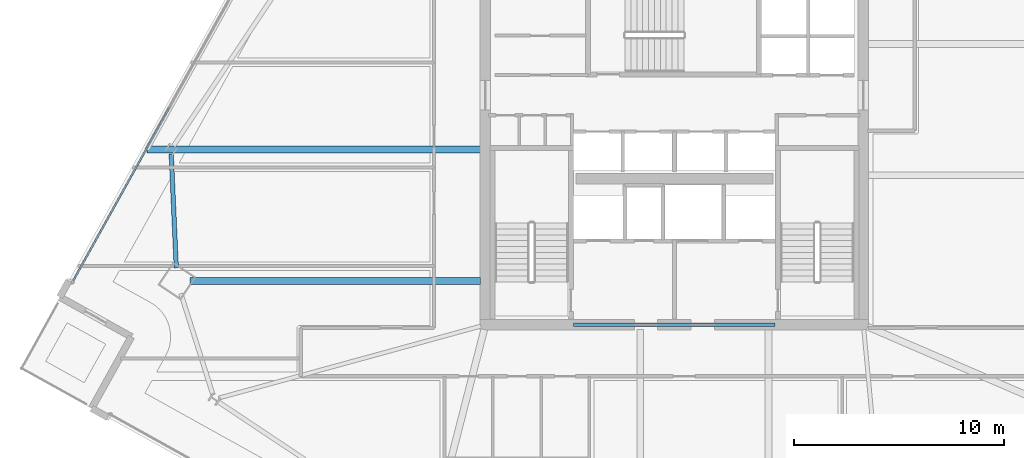
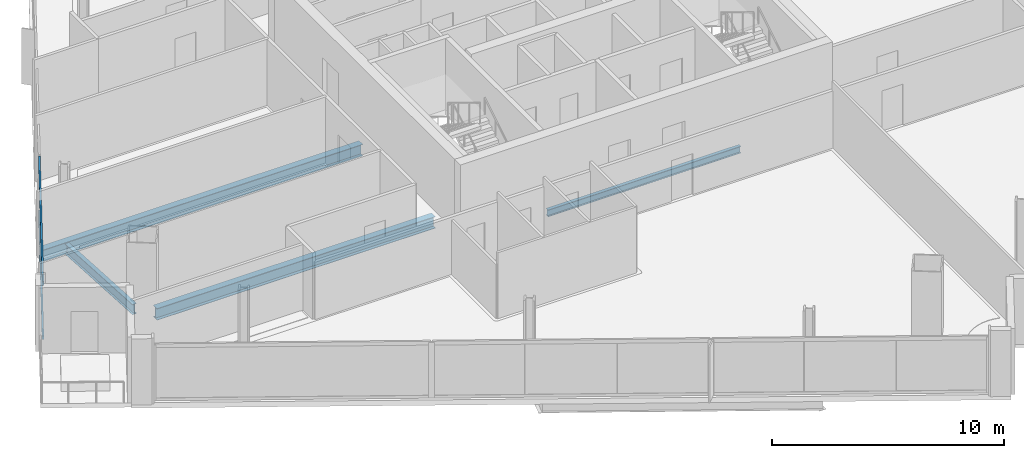
# One storey, part 6 of 28: 4 beams, 2 members, 1 element without a shape of its own.
"""IFC4 building model written with IfcOpenShell, lengths in metres."""

from ifc_helpers import new_model, si_unit, direction, frame, origin, origin_2d, place, context, subcontext, project, spatial, hollow_rectangle, i_section, extrude, material, material_profile, profile_set, type_object, element, aggregate, save


model = new_model("IFC4")

# Units and contexts
model_context = context("Model", 3, precision=1e-05, world=origin(), true_north=direction((0.0, 1.0)))
body_context = subcontext(model_context, "Body", "Model", "MODEL_VIEW")
ifc_project = project(units=[si_unit("LENGTHUNIT", "METRE"), si_unit("AREAUNIT", "SQUARE_METRE"), si_unit("VOLUMEUNIT", "CUBIC_METRE"), si_unit("PLANEANGLEUNIT", "RADIAN"), si_unit("MASSUNIT", "GRAM", prefix="KILO")], contexts=[model_context])

# Site, building, storey
site_placement = place(None, origin())
site = spatial("IfcSite", under=ifc_project, at=site_placement, CompositionType="ELEMENT")
building_placement = place(site_placement, origin())
building = spatial("IfcBuilding", under=site, at=building_placement, Name="Haldenkirk Collegiate Tower", CompositionType="ELEMENT")
storey_placement = place(building_placement, frame((0.0, 0.0, 232.199951171875)))
storey = spatial("IfcBuildingStorey", under=building, at=storey_placement, Name="L58", CompositionType="ELEMENT", Elevation=232.199951171875)

# Beams
ifc_material_1 = material(Name="Steel ASTM A992 Grade 50", Category="steel")
ifc_material_profile_1 = material_profile(ifc_material_1, i_section(OverallWidth=0.324951171875, OverallDepth=0.615966796875, WebThickness=0.013916015625, FlangeThickness=0.021484375, at=origin_2d()), Name="W24X117")
ifc_profile_set_1 = profile_set([ifc_material_profile_1], Name="Steel ASTM A992 Grade 50")
beam_type_1 = type_object("IfcBeamType", Name="BM-GIRDER-W24X117", PredefinedType="BEAM", material=ifc_profile_set_1)
beam_1_placement = place(storey_placement, frame((12.9345703125, 20.089599609375, -0.587890625), z_axis=(1.0, 0.0, 0.0), x_axis=(0.0, 1.0, 0.0)))
element("IfcBeam", 1, at=beam_1_placement, inside=storey, type_object=beam_type_1, Name="L58 primary floor girder 04", PredefinedType="BEAM", context=body_context, shape_type="SweptSolid", body=[
    extrude(i_section(OverallWidth=0.324951171875, OverallDepth=0.615966796875, WebThickness=0.013916015625, FlangeThickness=0.021484375, at=origin_2d()), origin(), (0.0, 0.0, 1.0), 13.83544921875),
])
beam_2_placement = place(storey_placement, frame((10.878173828125, 26.34716796875, -0.587890625), z_axis=(1.0, 0.0, 0.0), x_axis=(0.0, 1.0, 0.0)))
element("IfcBeam", 2, at=beam_2_placement, inside=storey, type_object=beam_type_1, Name="L58 primary floor girder 13", PredefinedType="BEAM", context=body_context, shape_type="SweptSolid", body=[
    extrude(i_section(OverallWidth=0.324951171875, OverallDepth=0.615966796875, WebThickness=0.013916015625, FlangeThickness=0.021484375, at=origin_2d()), origin(), (0.0, 0.0, 1.0), 15.891845703125),
])
ifc_material_profile_2 = material_profile(ifc_material_1, i_section(OverallWidth=0.1708984375, OverallDepth=0.35595703125, WebThickness=0.007080078125, FlangeThickness=0.01171875, at=origin_2d()), Name="W14X34")
ifc_profile_set_2 = profile_set([ifc_material_profile_2], Name="Steel ASTM A992 Grade 50")
beam_type_2 = type_object("IfcBeamType", Name="BM-LINTEL-W14X34", PredefinedType="LINTEL", material=ifc_profile_set_2)
beam_3_placement = place(storey_placement, frame((31.199951171875, 18.0, -0.4580078125), z_axis=(1.0, 0.0, 0.0), x_axis=(0.0, 1.0, 0.0)))
element("IfcBeam", 3, at=beam_3_placement, inside=storey, type_object=beam_type_2, Name="L58 south core coupling lintel", PredefinedType="LINTEL", context=body_context, shape_type="SweptSolid", body=[
    extrude(i_section(OverallWidth=0.1708984375, OverallDepth=0.35595703125, WebThickness=0.007080078125, FlangeThickness=0.01171875, at=origin_2d()), origin(), (0.0, 0.0, 1.0), 9.60009765625),
])
ifc_material_profile_3 = material_profile(ifc_material_1, i_section(OverallWidth=0.2099609375, OverallDepth=0.537109375, WebThickness=0.010986328125, FlangeThickness=0.017333984375, at=origin_2d()), Name="W21X68")
ifc_profile_set_3 = profile_set([ifc_material_profile_3], Name="Steel ASTM A992 Grade 50")
beam_type_3 = type_object("IfcBeamType", Name="BM-SPANDREL-W21X68", PredefinedType="SPANDREL", material=ifc_profile_set_3)
beam_4_placement = place(storey_placement, frame((12.034912109375, 26.13037109375, -0.54833984375), z_axis=(0.044620526426, -0.999004008311, 0.0), x_axis=(0.999004008311, 0.044620526426, 0.0)))
element("IfcBeam", 4, at=beam_4_placement, inside=storey, type_object=beam_type_3, Name="L58 perimeter spandrel beam 12", PredefinedType="SPANDREL", context=body_context, shape_type="SweptSolid", body=[
    extrude(i_section(OverallWidth=0.2099609375, OverallDepth=0.537109375, WebThickness=0.010986328125, FlangeThickness=0.017333984375, at=origin_2d()), origin(), (0.0, 0.0, 1.0), 5.416748046875),
])

# Curtain wall, members
ifc_material_2 = material(Name="Anodised architectural bronze aluminium", Category="aluminium")
curtain_wall_type = type_object("IfcCurtainWallType", Name="CW-SYS1B-CONVEX-HI", PredefinedType="USERDEFINED", material=ifc_material_2)
curtain_wall_placement = place(storey_placement, origin())
curtain_wall = element("IfcCurtainWall", 5, at=curtain_wall_placement, inside=storey, type_object=curtain_wall_type, Name="L58 Upper tower high-wind convex bronze unitised curtain wall", ObjectType="UNITISED CURTAIN WALL", PredefinedType="USERDEFINED")
ifc_material_profile_4 = material_profile(ifc_material_2, hollow_rectangle(XDim=0.0849609375, YDim=0.199951171875, WallThickness=0.0048828125, at=origin_2d()), Name="CW-TRN-1B")
ifc_profile_set_4 = profile_set([ifc_material_profile_4], Name="Anodised architectural bronze aluminium")
member_type = type_object("IfcMemberType", Name="CW-TRN-1B", PredefinedType="USERDEFINED", material=ifc_profile_set_4)
member_1_placement = place(storey_placement, frame((7.361572265625, 20.0986328125, 0.04248046875), z_axis=(0.485585884019, 0.874188966552, 0.0), x_axis=(-0.874188966552, 0.485585884019, 0.0)))
member_1 = element("IfcMember", 6, at=member_1_placement, type_object=member_type, Name="CW-1B transom 1.1", ObjectType="TRANSOM", PredefinedType="USERDEFINED", context=body_context, shape_type="SweptSolid", body=[
    extrude(hollow_rectangle(XDim=0.0849609375, YDim=0.199951171875, WallThickness=0.0048828125, at=origin_2d()), origin(), (0.0, 0.0, 1.0), 9.44775390625),
])
member_2_placement = place(storey_placement, frame((7.361572265625, 20.0986328125, 2.885498046875), z_axis=(0.485585884019, 0.874188966552, 0.0), x_axis=(-0.874188966552, 0.485585884019, 0.0)))
member_2 = element("IfcMember", 7, at=member_2_placement, type_object=member_type, Name="CW-1B transom 1.2", ObjectType="TRANSOM", PredefinedType="USERDEFINED", context=body_context, shape_type="SweptSolid", body=[
    extrude(hollow_rectangle(XDim=0.0849609375, YDim=0.199951171875, WallThickness=0.0048828125, at=origin_2d()), origin(), (0.0, 0.0, 1.0), 9.44775390625),
])
aggregate(curtain_wall, [member_1, member_2])

save(model, "model.ifc")
